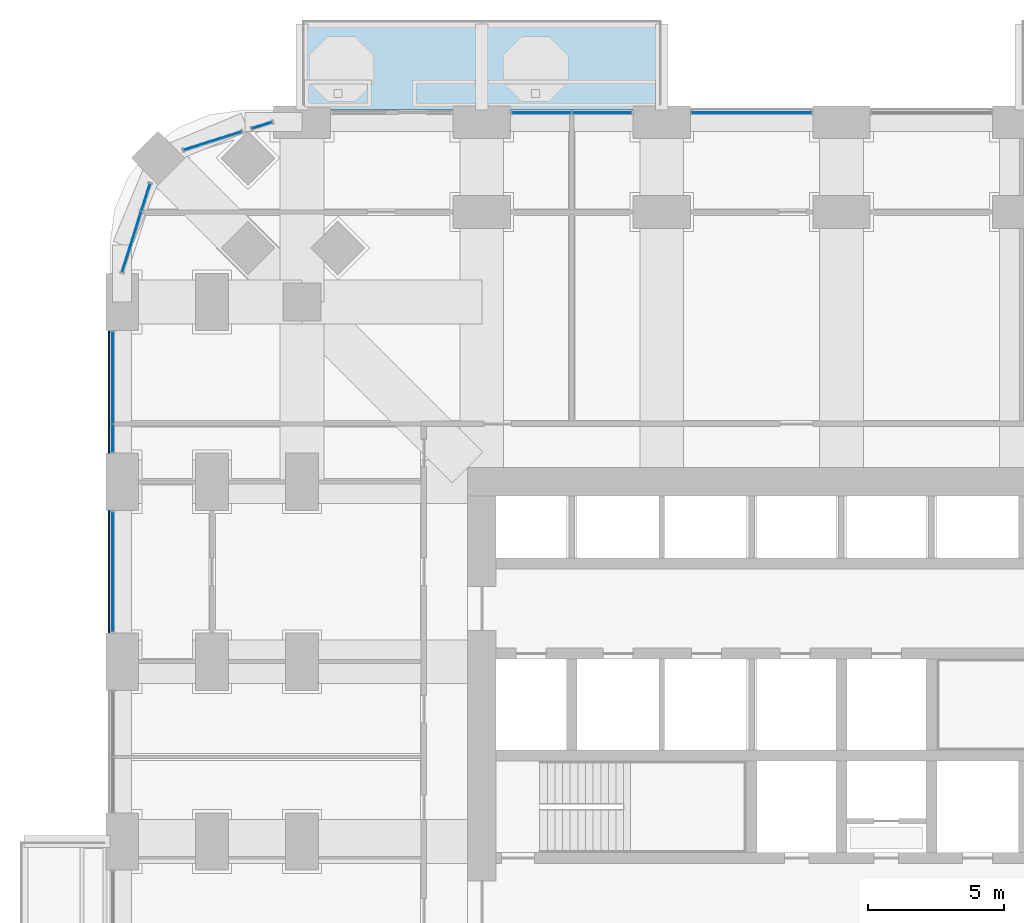
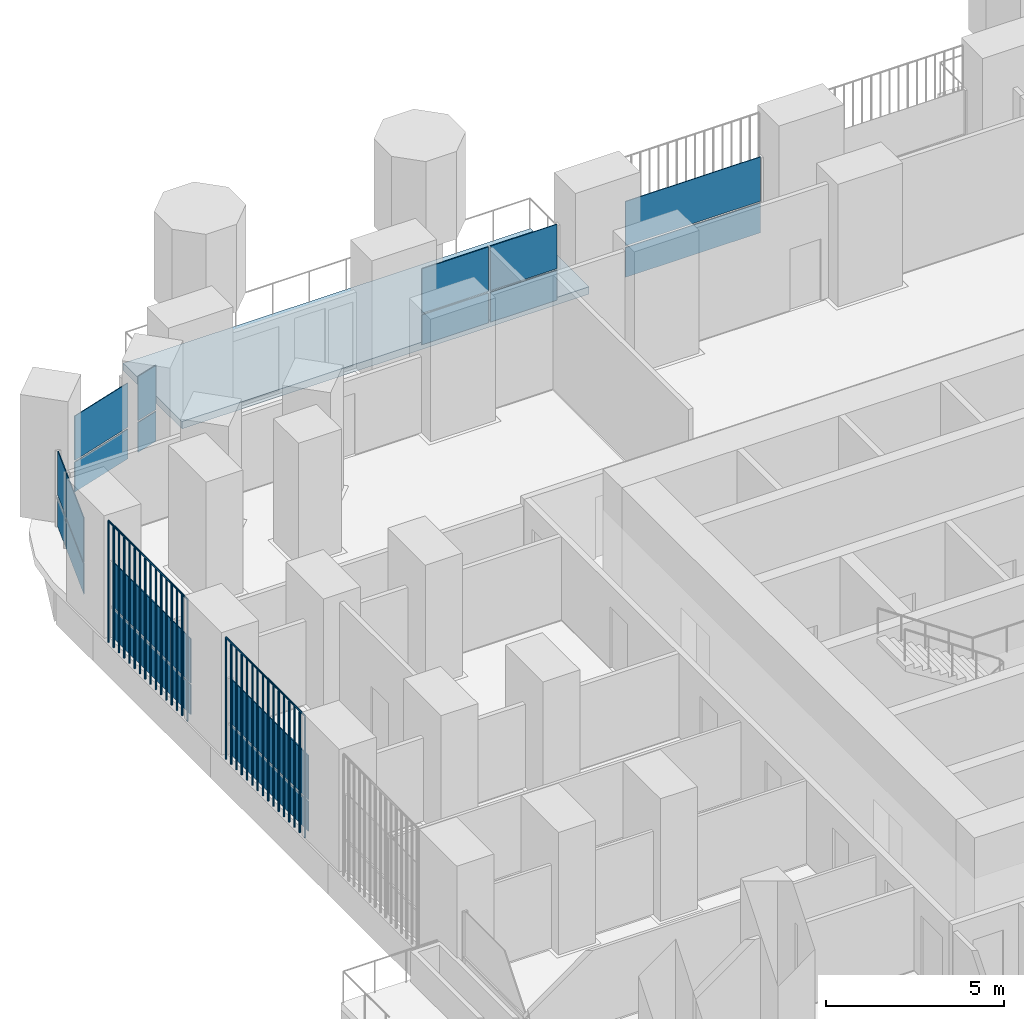
# One storey, part 15 of 27: 22 plates, 1 slab, 7 elements without a shape of their own.
"""IFC4 building model written with IfcOpenShell, lengths in metres."""

from ifc_helpers import new_model, si_unit, direction, frame, origin, origin_2d, place, context, subcontext, project, spatial, polyline, rectangle, outline, extrude, material, layer, layer_set, type_object, element, aggregate, save


model = new_model("IFC4")

# Units and contexts
model_context = context("Model", 3, precision=1e-05, world=origin(), true_north=direction((0.0, 1.0)))
body_context = subcontext(model_context, "Body", "Model", "MODEL_VIEW")
ifc_project = project(units=[si_unit("LENGTHUNIT", "METRE"), si_unit("AREAUNIT", "SQUARE_METRE"), si_unit("VOLUMEUNIT", "CUBIC_METRE"), si_unit("PLANEANGLEUNIT", "RADIAN"), si_unit("MASSUNIT", "GRAM", prefix="KILO")], contexts=[model_context])

# Site, building, storey
site_placement = place(None, origin())
site = spatial("IfcSite", under=ifc_project, at=site_placement, CompositionType="ELEMENT")
building_placement = place(site_placement, origin())
building = spatial("IfcBuilding", under=site, at=building_placement, Name="Cobogo Forest Laboratory Tower", CompositionType="ELEMENT")
storey_placement = place(building_placement, frame((0.0, 0.0, 63.300048828125)))
storey = spatial("IfcBuildingStorey", under=building, at=storey_placement, Name="L14", CompositionType="ELEMENT", Elevation=63.300048828125)

# Slab
ifc_material_1 = material(Name="Concrete HA-40 (C40/50)", Category="concrete")
ifc_layer_1 = layer(ifc_material_1, 0.25)
ifc_layer_set_1 = layer_set([ifc_layer_1], Name="Balcony slab 250")
slab_type = type_object("IfcSlabType", Name="Balcony slab 250", PredefinedType="FLOOR", material=ifc_layer_set_1)
slab_placement = place(storey_placement, frame((0.0, 0.0, -0.25)))
element("IfcSlab", 1, at=slab_placement, inside=storey, type_object=slab_type, Name="Balcony BAL-N1 L14", PredefinedType="FLOOR", context=body_context, shape_type="SweptSolid", body=[
    extrude(outline(polyline([(6.60009765625, 46.64990234375), (19.800048828125, 46.64990234375), (19.800048828125, 49.949951171875), (6.60009765625, 49.949951171875), (6.60009765625, 46.64990234375)])), origin(), (0.0, 0.0, 1.0), 0.25),
])

# Curtain wall, plates
ifc_material_2 = material(Name="Aluminium curtain wall", Category="aluminium")
curtain_wall_type = type_object("IfcCurtainWallType", Name="CW-1 unitised curtain wall, clear glazing, laboratory floors zones A and B", PredefinedType="USERDEFINED", material=ifc_material_2)
curtain_wall_1_placement = place(storey_placement, origin())
curtain_wall_1 = element("IfcCurtainWall", 2, at=curtain_wall_1_placement, inside=storey, type_object=curtain_wall_type, Name="Curtain wall 21 L14", ObjectType="UNITISED CURTAIN WALL", PredefinedType="USERDEFINED")
ifc_material_3 = material(Name="Clear insulated glass", Category="glass")
ifc_layer_2 = layer(ifc_material_3, 0.028076171875)
ifc_layer_set_2 = layer_set([ifc_layer_2], Name="GP-1 clear insulated glass unit 28")
plate_type_1 = type_object("IfcPlateType", Name="GP-1 clear insulated glass unit 28", PredefinedType="CURTAIN_PANEL", material=ifc_layer_set_2)
plate_1_placement = place(storey_placement, frame((23.10009765625, 46.550048828125, 0.0), z_axis=(0.0, 0.0, 1.0), x_axis=(-1.0, 0.0, 0.0)))
plate_1 = element("IfcPlate", 3, at=plate_1_placement, type_object=plate_type_1, Name="CW-1 panel 1.1", PredefinedType="CURTAIN_PANEL", context=body_context, shape_type="SweptSolid", body=[
    extrude(rectangle(XDim=4.3798828125, YDim=0.028076171875, at=origin_2d()), origin(), (0.0, 0.0, 1.0), 1.02001953125),
])
plate_2_placement = place(storey_placement, frame((23.10009765625, 46.550048828125, 1.079833984375), z_axis=(0.0, 0.0, 1.0), x_axis=(-1.0, 0.0, 0.0)))
plate_2 = element("IfcPlate", 4, at=plate_2_placement, type_object=plate_type_1, Name="CW-1 panel 1.2", PredefinedType="CURTAIN_PANEL", context=body_context, shape_type="SweptSolid", body=[
    extrude(rectangle(XDim=4.3798828125, YDim=0.028076171875, at=origin_2d()), origin(), (0.0, 0.0, 1.0), 1.52001953125),
])
aggregate(curtain_wall_1, [plate_1, plate_2])

curtain_wall_2_placement = place(storey_placement, origin())
curtain_wall_2 = element("IfcCurtainWall", 5, at=curtain_wall_2_placement, inside=storey, type_object=curtain_wall_type, Name="Curtain wall 22 L14", ObjectType="UNITISED CURTAIN WALL", PredefinedType="USERDEFINED")
plate_3_placement = place(storey_placement, frame((17.610107421875, 46.550048828125, 0.0), z_axis=(0.0, 0.0, 1.0), x_axis=(-1.0, 0.0, 0.0)))
plate_3 = element("IfcPlate", 6, at=plate_3_placement, type_object=plate_type_1, Name="CW-1 panel 1.1", PredefinedType="CURTAIN_PANEL", context=body_context, shape_type="SweptSolid", body=[
    extrude(rectangle(XDim=2.159912109375, YDim=0.028076171875, at=origin_2d()), origin(), (0.0, 0.0, 1.0), 1.02001953125),
])
plate_4_placement = place(storey_placement, frame((17.610107421875, 46.550048828125, 1.079833984375), z_axis=(0.0, 0.0, 1.0), x_axis=(-1.0, 0.0, 0.0)))
plate_4 = element("IfcPlate", 7, at=plate_4_placement, type_object=plate_type_1, Name="CW-1 panel 1.2", PredefinedType="CURTAIN_PANEL", context=body_context, shape_type="SweptSolid", body=[
    extrude(rectangle(XDim=2.159912109375, YDim=0.028076171875, at=origin_2d()), origin(), (0.0, 0.0, 1.0), 1.52001953125),
])
plate_5_placement = place(storey_placement, frame((15.389892578125, 46.550048828125, 0.0), z_axis=(0.0, 0.0, 1.0), x_axis=(-1.0, 0.0, 0.0)))
plate_5 = element("IfcPlate", 8, at=plate_5_placement, type_object=plate_type_1, Name="CW-1 panel 2.1", PredefinedType="CURTAIN_PANEL", context=body_context, shape_type="SweptSolid", body=[
    extrude(rectangle(XDim=2.159912109375, YDim=0.028076171875, at=origin_2d()), origin(), (0.0, 0.0, 1.0), 1.02001953125),
])
plate_6_placement = place(storey_placement, frame((15.389892578125, 46.550048828125, 1.079833984375), z_axis=(0.0, 0.0, 1.0), x_axis=(-1.0, 0.0, 0.0)))
plate_6 = element("IfcPlate", 9, at=plate_6_placement, type_object=plate_type_1, Name="CW-1 panel 2.2", PredefinedType="CURTAIN_PANEL", context=body_context, shape_type="SweptSolid", body=[
    extrude(rectangle(XDim=2.159912109375, YDim=0.028076171875, at=origin_2d()), origin(), (0.0, 0.0, 1.0), 1.52001953125),
])
aggregate(curtain_wall_2, [plate_3, plate_4, plate_5, plate_6])

curtain_wall_3_placement = place(storey_placement, origin())
curtain_wall_3 = element("IfcCurtainWall", 10, at=curtain_wall_3_placement, inside=storey, type_object=curtain_wall_type, Name="Curtain wall 24 L14", ObjectType="UNITISED CURTAIN WALL", PredefinedType="USERDEFINED")
plate_7_placement = place(storey_placement, frame((5.134033203125, 46.087158203125, 0.0), z_axis=(0.0, 0.0, 1.0), x_axis=(-0.953581504428, -0.301135043481, 0.0)))
plate_7 = element("IfcPlate", 11, at=plate_7_placement, type_object=plate_type_1, Name="CW-1 panel 1.1", PredefinedType="CURTAIN_PANEL", context=body_context, shape_type="SweptSolid", body=[
    extrude(rectangle(XDim=0.75244140625, YDim=0.028076171875, at=origin_2d()), origin(), (0.0, 0.0, 1.0), 1.02001953125),
])
plate_8_placement = place(storey_placement, frame((5.134033203125, 46.087158203125, 1.079833984375), z_axis=(0.0, 0.0, 1.0), x_axis=(-0.953581504428, -0.301135043481, 0.0)))
plate_8 = element("IfcPlate", 12, at=plate_8_placement, type_object=plate_type_1, Name="CW-1 panel 1.2", PredefinedType="CURTAIN_PANEL", context=body_context, shape_type="SweptSolid", body=[
    extrude(rectangle(XDim=0.75244140625, YDim=0.028076171875, at=origin_2d()), origin(), (0.0, 0.0, 1.0), 1.52001953125),
])
aggregate(curtain_wall_3, [plate_7, plate_8])

curtain_wall_4_placement = place(storey_placement, origin())
curtain_wall_4 = element("IfcCurtainWall", 13, at=curtain_wall_4_placement, inside=storey, type_object=curtain_wall_type, Name="Curtain wall 25 L14", ObjectType="UNITISED CURTAIN WALL", PredefinedType="USERDEFINED")
plate_9_placement = place(storey_placement, frame((3.31787109375, 45.513427734375, 0.0), z_axis=(0.0, 0.0, 1.0), x_axis=(-0.953581409645, -0.301135343623, 0.0)))
plate_9 = element("IfcPlate", 14, at=plate_9_placement, type_object=plate_type_1, Name="CW-1 panel 1.1", PredefinedType="CURTAIN_PANEL", context=body_context, shape_type="SweptSolid", body=[
    extrude(rectangle(XDim=2.203369140625, YDim=0.028076171875, at=origin_2d()), origin(), (0.0, 0.0, 1.0), 1.02001953125),
])
plate_10_placement = place(storey_placement, frame((3.31787109375, 45.513427734375, 1.079833984375), z_axis=(0.0, 0.0, 1.0), x_axis=(-0.953581409645, -0.301135343623, 0.0)))
plate_10 = element("IfcPlate", 15, at=plate_10_placement, type_object=plate_type_1, Name="CW-1 panel 1.2", PredefinedType="CURTAIN_PANEL", context=body_context, shape_type="SweptSolid", body=[
    extrude(rectangle(XDim=2.203369140625, YDim=0.028076171875, at=origin_2d()), origin(), (0.0, 0.0, 1.0), 1.52001953125),
])
aggregate(curtain_wall_4, [plate_9, plate_10])

curtain_wall_5_placement = place(storey_placement, origin())
curtain_wall_5 = element("IfcCurtainWall", 16, at=curtain_wall_5_placement, inside=storey, type_object=curtain_wall_type, Name="Curtain wall 26 L14", ObjectType="UNITISED CURTAIN WALL", PredefinedType="USERDEFINED")
plate_11_placement = place(storey_placement, frame((0.863525390625, 43.442626953125, 0.0), z_axis=(0.0, 0.0, 1.0), x_axis=(-0.30113535792, -0.95358140513, 0.0)))
plate_11 = element("IfcPlate", 17, at=plate_11_placement, type_object=plate_type_1, Name="CW-1 panel 1.1", PredefinedType="CURTAIN_PANEL", context=body_context, shape_type="SweptSolid", body=[
    extrude(rectangle(XDim=1.027587890625, YDim=0.028076171875, at=origin_2d()), origin(), (0.0, 0.0, 1.0), 1.02001953125),
])
plate_12_placement = place(storey_placement, frame((0.863525390625, 43.442626953125, 1.079833984375), z_axis=(0.0, 0.0, 1.0), x_axis=(-0.30113535792, -0.95358140513, 0.0)))
plate_12 = element("IfcPlate", 18, at=plate_12_placement, type_object=plate_type_1, Name="CW-1 panel 1.2", PredefinedType="CURTAIN_PANEL", context=body_context, shape_type="SweptSolid", body=[
    extrude(rectangle(XDim=1.027587890625, YDim=0.028076171875, at=origin_2d()), origin(), (0.0, 0.0, 1.0), 1.52001953125),
])
plate_13_placement = place(storey_placement, frame((0.34521484375, 41.80126953125, 0.0), z_axis=(0.0, 0.0, 1.0), x_axis=(-0.30113535792, -0.95358140513, 0.0)))
plate_13 = element("IfcPlate", 19, at=plate_13_placement, type_object=plate_type_1, Name="CW-1 panel 2.1", PredefinedType="CURTAIN_PANEL", context=body_context, shape_type="SweptSolid", body=[
    extrude(rectangle(XDim=2.294677734375, YDim=0.028076171875, at=origin_2d()), origin(), (0.0, 0.0, 1.0), 1.02001953125),
])
plate_14_placement = place(storey_placement, frame((0.34521484375, 41.80126953125, 1.079833984375), z_axis=(0.0, 0.0, 1.0), x_axis=(-0.30113535792, -0.95358140513, 0.0)))
plate_14 = element("IfcPlate", 20, at=plate_14_placement, type_object=plate_type_1, Name="CW-1 panel 2.2", PredefinedType="CURTAIN_PANEL", context=body_context, shape_type="SweptSolid", body=[
    extrude(rectangle(XDim=2.294677734375, YDim=0.028076171875, at=origin_2d()), origin(), (0.0, 0.0, 1.0), 1.52001953125),
])
aggregate(curtain_wall_5, [plate_11, plate_12, plate_13, plate_14])

curtain_wall_6_placement = place(storey_placement, origin())
curtain_wall_6 = element("IfcCurtainWall", 21, at=curtain_wall_6_placement, inside=storey, type_object=curtain_wall_type, Name="Curtain wall 27 L14", ObjectType="UNITISED CURTAIN WALL", PredefinedType="USERDEFINED")
plate_15_placement = place(storey_placement, frame((-0.35009765625, 36.822509765625, 0.0), z_axis=(0.0, 0.0, 1.0), x_axis=(0.0, -1.0, 0.0)))
plate_15 = element("IfcPlate", 22, at=plate_15_placement, type_object=plate_type_1, Name="CW-1 panel 1.1", PredefinedType="CURTAIN_PANEL", context=body_context, shape_type="SweptSolid", body=[
    extrude(rectangle(XDim=3.3349609375, YDim=0.028076171875, at=origin_2d()), origin(), (0.0, 0.0, 1.0), 1.02001953125),
])
plate_16_placement = place(storey_placement, frame((-0.35009765625, 36.822509765625, 1.079833984375), z_axis=(0.0, 0.0, 1.0), x_axis=(0.0, -1.0, 0.0)))
plate_16 = element("IfcPlate", 23, at=plate_16_placement, type_object=plate_type_1, Name="CW-1 panel 1.2", PredefinedType="CURTAIN_PANEL", context=body_context, shape_type="SweptSolid", body=[
    extrude(rectangle(XDim=3.3349609375, YDim=0.028076171875, at=origin_2d()), origin(), (0.0, 0.0, 1.0), 1.52001953125),
])
plate_17_placement = place(storey_placement, frame((-0.35009765625, 34.6025390625, 0.0), z_axis=(0.0, 0.0, 1.0), x_axis=(0.0, -1.0, 0.0)))
plate_17 = element("IfcPlate", 24, at=plate_17_placement, type_object=plate_type_1, Name="CW-1 panel 2.1", PredefinedType="CURTAIN_PANEL", context=body_context, shape_type="SweptSolid", body=[
    extrude(rectangle(XDim=0.985107421875, YDim=0.028076171875, at=origin_2d()), origin(), (0.0, 0.0, 1.0), 1.02001953125),
])
plate_18_placement = place(storey_placement, frame((-0.35009765625, 34.6025390625, 1.079833984375), z_axis=(0.0, 0.0, 1.0), x_axis=(0.0, -1.0, 0.0)))
plate_18 = element("IfcPlate", 25, at=plate_18_placement, type_object=plate_type_1, Name="CW-1 panel 2.2", PredefinedType="CURTAIN_PANEL", context=body_context, shape_type="SweptSolid", body=[
    extrude(rectangle(XDim=0.985107421875, YDim=0.028076171875, at=origin_2d()), origin(), (0.0, 0.0, 1.0), 1.52001953125),
])
aggregate(curtain_wall_6, [plate_15, plate_16, plate_17, plate_18])

curtain_wall_7_placement = place(storey_placement, origin())
curtain_wall_7 = element("IfcCurtainWall", 26, at=curtain_wall_7_placement, inside=storey, type_object=curtain_wall_type, Name="Curtain wall 28 L14", ObjectType="UNITISED CURTAIN WALL", PredefinedType="USERDEFINED")
plate_19_placement = place(storey_placement, frame((-0.35009765625, 29.699951171875, 0.0), z_axis=(0.0, 0.0, 1.0), x_axis=(0.0, -1.0, 0.0)))
plate_19 = element("IfcPlate", 27, at=plate_19_placement, type_object=plate_type_1, Name="CW-1 panel 1.1", PredefinedType="CURTAIN_PANEL", context=body_context, shape_type="SweptSolid", body=[
    extrude(rectangle(XDim=4.3798828125, YDim=0.028076171875, at=origin_2d()), origin(), (0.0, 0.0, 1.0), 1.02001953125),
])
plate_20_placement = place(storey_placement, frame((-0.35009765625, 29.699951171875, 1.079833984375), z_axis=(0.0, 0.0, 1.0), x_axis=(0.0, -1.0, 0.0)))
plate_20 = element("IfcPlate", 28, at=plate_20_placement, type_object=plate_type_1, Name="CW-1 panel 1.2", PredefinedType="CURTAIN_PANEL", context=body_context, shape_type="SweptSolid", body=[
    extrude(rectangle(XDim=4.3798828125, YDim=0.028076171875, at=origin_2d()), origin(), (0.0, 0.0, 1.0), 1.52001953125),
])
aggregate(curtain_wall_7, [plate_19, plate_20])

# Plates
ifc_material_4 = material(Name="Terracotta", Category="masonry")
plate_type_2 = type_object("IfcPlateType", Name="TB1 terracotta baguette screen", PredefinedType="USERDEFINED", material=ifc_material_4)
plate_21_placement = place(storey_placement, frame((-0.477783203125, 27.481201171875, -0.150146484375)))
element("IfcPlate", 29, at=plate_21_placement, inside=storey, type_object=plate_type_2, Name="Baguette screen W4 L14", ObjectType="BAGUETTE SCREEN", PredefinedType="USERDEFINED", context=body_context, shape_type="SweptSolid", body=[
    extrude(outline(polyline([(0.02880859375, 0.011962890625), (0.011962890625, 0.02880859375), (-0.011962890625, 0.02880859375), (-0.02880859375, 0.011962890625), (-0.02880859375, -0.011962890625), (-0.011962890625, -0.02880859375), (0.011962890625, -0.02880859375), (0.02880859375, -0.011962890625), (0.02880859375, 0.011962890625)])), frame((0.0, 0.0, 4.168701171875), z_axis=(0.0, 1.0, 0.0), x_axis=(-1.0, 0.0, 0.0)), (0.0, 0.0, 1.0), 4.4375),
    extrude(outline(polyline([(0.02880859375, 0.011962890625), (0.011962890625, 0.02880859375), (-0.011962890625, 0.02880859375), (-0.02880859375, 0.011962890625), (-0.02880859375, -0.011962890625), (-0.011962890625, -0.02880859375), (0.011962890625, -0.02880859375), (0.02880859375, -0.011962890625), (0.02880859375, 0.011962890625)])), origin(), (0.0, 0.0, 1.0), 4.137451171875),
    extrude(outline(polyline([(0.02880859375, 0.011962890625), (0.011962890625, 0.02880859375), (-0.011962890625, 0.02880859375), (-0.02880859375, 0.011962890625), (-0.02880859375, -0.011962890625), (-0.011962890625, -0.02880859375), (0.011962890625, -0.02880859375), (0.02880859375, -0.011962890625), (0.02880859375, 0.011962890625)])), frame((0.0, 0.2958984375, 0.0)), (0.0, 0.0, 1.0), 4.137451171875),
    extrude(outline(polyline([(0.02880859375, 0.011962890625), (0.011962890625, 0.02880859375), (-0.011962890625, 0.02880859375), (-0.02880859375, 0.011962890625), (-0.02880859375, -0.011962890625), (-0.011962890625, -0.02880859375), (0.011962890625, -0.02880859375), (0.02880859375, -0.011962890625), (0.02880859375, 0.011962890625)])), frame((0.0, 0.591552734375, 0.0)), (0.0, 0.0, 1.0), 4.137451171875),
    extrude(outline(polyline([(0.02880859375, 0.011962890625), (0.011962890625, 0.02880859375), (-0.011962890625, 0.02880859375), (-0.02880859375, 0.011962890625), (-0.02880859375, -0.011962890625), (-0.011962890625, -0.02880859375), (0.011962890625, -0.02880859375), (0.02880859375, -0.011962890625), (0.02880859375, 0.011962890625)])), frame((0.0, 0.887451171875, 0.0)), (0.0, 0.0, 1.0), 4.137451171875),
    extrude(outline(polyline([(0.02880859375, 0.011962890625), (0.011962890625, 0.02880859375), (-0.011962890625, 0.02880859375), (-0.02880859375, 0.011962890625), (-0.02880859375, -0.011962890625), (-0.011962890625, -0.02880859375), (0.011962890625, -0.02880859375), (0.02880859375, -0.011962890625), (0.02880859375, 0.011962890625)])), frame((0.0, 1.183349609375, 0.0)), (0.0, 0.0, 1.0), 4.137451171875),
    extrude(outline(polyline([(0.02880859375, 0.011962890625), (0.011962890625, 0.02880859375), (-0.011962890625, 0.02880859375), (-0.02880859375, 0.011962890625), (-0.02880859375, -0.011962890625), (-0.011962890625, -0.02880859375), (0.011962890625, -0.02880859375), (0.02880859375, -0.011962890625), (0.02880859375, 0.011962890625)])), frame((0.0, 1.479248046875, 0.0)), (0.0, 0.0, 1.0), 4.137451171875),
    extrude(outline(polyline([(0.02880859375, 0.011962890625), (0.011962890625, 0.02880859375), (-0.011962890625, 0.02880859375), (-0.02880859375, 0.011962890625), (-0.02880859375, -0.011962890625), (-0.011962890625, -0.02880859375), (0.011962890625, -0.02880859375), (0.02880859375, -0.011962890625), (0.02880859375, 0.011962890625)])), frame((0.0, 1.77490234375, 0.0)), (0.0, 0.0, 1.0), 4.137451171875),
    extrude(outline(polyline([(0.02880859375, 0.011962890625), (0.011962890625, 0.02880859375), (-0.011962890625, 0.02880859375), (-0.02880859375, 0.011962890625), (-0.02880859375, -0.011962890625), (-0.011962890625, -0.02880859375), (0.011962890625, -0.02880859375), (0.02880859375, -0.011962890625), (0.02880859375, 0.011962890625)])), frame((0.0, 2.07080078125, 0.0)), (0.0, 0.0, 1.0), 4.137451171875),
    extrude(outline(polyline([(0.02880859375, 0.011962890625), (0.011962890625, 0.02880859375), (-0.011962890625, 0.02880859375), (-0.02880859375, 0.011962890625), (-0.02880859375, -0.011962890625), (-0.011962890625, -0.02880859375), (0.011962890625, -0.02880859375), (0.02880859375, -0.011962890625), (0.02880859375, 0.011962890625)])), frame((0.0, 2.36669921875, 0.0)), (0.0, 0.0, 1.0), 4.137451171875),
    extrude(outline(polyline([(0.02880859375, 0.011962890625), (0.011962890625, 0.02880859375), (-0.011962890625, 0.02880859375), (-0.02880859375, 0.011962890625), (-0.02880859375, -0.011962890625), (-0.011962890625, -0.02880859375), (0.011962890625, -0.02880859375), (0.02880859375, -0.011962890625), (0.02880859375, 0.011962890625)])), frame((0.0, 2.66259765625, 0.0)), (0.0, 0.0, 1.0), 4.137451171875),
    extrude(outline(polyline([(0.02880859375, 0.011962890625), (0.011962890625, 0.02880859375), (-0.011962890625, 0.02880859375), (-0.02880859375, 0.011962890625), (-0.02880859375, -0.011962890625), (-0.011962890625, -0.02880859375), (0.011962890625, -0.02880859375), (0.02880859375, -0.011962890625), (0.02880859375, 0.011962890625)])), frame((0.0, 2.958251953125, 0.0)), (0.0, 0.0, 1.0), 4.137451171875),
    extrude(outline(polyline([(0.02880859375, 0.011962890625), (0.011962890625, 0.02880859375), (-0.011962890625, 0.02880859375), (-0.02880859375, 0.011962890625), (-0.02880859375, -0.011962890625), (-0.011962890625, -0.02880859375), (0.011962890625, -0.02880859375), (0.02880859375, -0.011962890625), (0.02880859375, 0.011962890625)])), frame((0.0, 3.254150390625, 0.0)), (0.0, 0.0, 1.0), 4.137451171875),
    extrude(outline(polyline([(0.02880859375, 0.011962890625), (0.011962890625, 0.02880859375), (-0.011962890625, 0.02880859375), (-0.02880859375, 0.011962890625), (-0.02880859375, -0.011962890625), (-0.011962890625, -0.02880859375), (0.011962890625, -0.02880859375), (0.02880859375, -0.011962890625), (0.02880859375, 0.011962890625)])), frame((0.0, 3.550048828125, 0.0)), (0.0, 0.0, 1.0), 4.137451171875),
    extrude(outline(polyline([(0.02880859375, 0.011962890625), (0.011962890625, 0.02880859375), (-0.011962890625, 0.02880859375), (-0.02880859375, 0.011962890625), (-0.02880859375, -0.011962890625), (-0.011962890625, -0.02880859375), (0.011962890625, -0.02880859375), (0.02880859375, -0.011962890625), (0.02880859375, 0.011962890625)])), frame((0.0, 3.845947265625, 0.0)), (0.0, 0.0, 1.0), 4.137451171875),
    extrude(outline(polyline([(0.02880859375, 0.011962890625), (0.011962890625, 0.02880859375), (-0.011962890625, 0.02880859375), (-0.02880859375, 0.011962890625), (-0.02880859375, -0.011962890625), (-0.011962890625, -0.02880859375), (0.011962890625, -0.02880859375), (0.02880859375, -0.011962890625), (0.02880859375, 0.011962890625)])), frame((0.0, 4.1416015625, 0.0)), (0.0, 0.0, 1.0), 4.137451171875),
    extrude(outline(polyline([(0.02880859375, 0.011962890625), (0.011962890625, 0.02880859375), (-0.011962890625, 0.02880859375), (-0.02880859375, 0.011962890625), (-0.02880859375, -0.011962890625), (-0.011962890625, -0.02880859375), (0.011962890625, -0.02880859375), (0.02880859375, -0.011962890625), (0.02880859375, 0.011962890625)])), frame((0.0, 4.4375, 0.0)), (0.0, 0.0, 1.0), 4.137451171875),
])
plate_22_placement = place(storey_placement, frame((-0.477783203125, 34.081298828125, -0.150146484375)))
element("IfcPlate", 30, at=plate_22_placement, inside=storey, type_object=plate_type_2, Name="Baguette screen W5 L14", ObjectType="BAGUETTE SCREEN", PredefinedType="USERDEFINED", context=body_context, shape_type="SweptSolid", body=[
    extrude(outline(polyline([(0.02880859375, 0.011962890625), (0.011962890625, 0.02880859375), (-0.011962890625, 0.02880859375), (-0.02880859375, 0.011962890625), (-0.02880859375, -0.011962890625), (-0.011962890625, -0.02880859375), (0.011962890625, -0.02880859375), (0.02880859375, -0.011962890625), (0.02880859375, 0.011962890625)])), frame((0.0, 0.0, 4.168701171875), z_axis=(0.0, 1.0, 0.0), x_axis=(-1.0, 0.0, 0.0)), (0.0, 0.0, 1.0), 4.4375),
    extrude(outline(polyline([(0.02880859375, 0.011962890625), (0.011962890625, 0.02880859375), (-0.011962890625, 0.02880859375), (-0.02880859375, 0.011962890625), (-0.02880859375, -0.011962890625), (-0.011962890625, -0.02880859375), (0.011962890625, -0.02880859375), (0.02880859375, -0.011962890625), (0.02880859375, 0.011962890625)])), origin(), (0.0, 0.0, 1.0), 4.137451171875),
    extrude(outline(polyline([(0.02880859375, 0.011962890625), (0.011962890625, 0.02880859375), (-0.011962890625, 0.02880859375), (-0.02880859375, 0.011962890625), (-0.02880859375, -0.011962890625), (-0.011962890625, -0.02880859375), (0.011962890625, -0.02880859375), (0.02880859375, -0.011962890625), (0.02880859375, 0.011962890625)])), frame((0.0, 0.2958984375, 0.0)), (0.0, 0.0, 1.0), 4.137451171875),
    extrude(outline(polyline([(0.02880859375, 0.011962890625), (0.011962890625, 0.02880859375), (-0.011962890625, 0.02880859375), (-0.02880859375, 0.011962890625), (-0.02880859375, -0.011962890625), (-0.011962890625, -0.02880859375), (0.011962890625, -0.02880859375), (0.02880859375, -0.011962890625), (0.02880859375, 0.011962890625)])), frame((0.0, 0.591552734375, 0.0)), (0.0, 0.0, 1.0), 4.137451171875),
    extrude(outline(polyline([(0.02880859375, 0.011962890625), (0.011962890625, 0.02880859375), (-0.011962890625, 0.02880859375), (-0.02880859375, 0.011962890625), (-0.02880859375, -0.011962890625), (-0.011962890625, -0.02880859375), (0.011962890625, -0.02880859375), (0.02880859375, -0.011962890625), (0.02880859375, 0.011962890625)])), frame((0.0, 0.887451171875, 0.0)), (0.0, 0.0, 1.0), 4.137451171875),
    extrude(outline(polyline([(0.02880859375, 0.011962890625), (0.011962890625, 0.02880859375), (-0.011962890625, 0.02880859375), (-0.02880859375, 0.011962890625), (-0.02880859375, -0.011962890625), (-0.011962890625, -0.02880859375), (0.011962890625, -0.02880859375), (0.02880859375, -0.011962890625), (0.02880859375, 0.011962890625)])), frame((0.0, 1.183349609375, 0.0)), (0.0, 0.0, 1.0), 4.137451171875),
    extrude(outline(polyline([(0.02880859375, 0.011962890625), (0.011962890625, 0.02880859375), (-0.011962890625, 0.02880859375), (-0.02880859375, 0.011962890625), (-0.02880859375, -0.011962890625), (-0.011962890625, -0.02880859375), (0.011962890625, -0.02880859375), (0.02880859375, -0.011962890625), (0.02880859375, 0.011962890625)])), frame((0.0, 1.479248046875, 0.0)), (0.0, 0.0, 1.0), 4.137451171875),
    extrude(outline(polyline([(0.02880859375, 0.011962890625), (0.011962890625, 0.02880859375), (-0.011962890625, 0.02880859375), (-0.02880859375, 0.011962890625), (-0.02880859375, -0.011962890625), (-0.011962890625, -0.02880859375), (0.011962890625, -0.02880859375), (0.02880859375, -0.011962890625), (0.02880859375, 0.011962890625)])), frame((0.0, 1.77490234375, 0.0)), (0.0, 0.0, 1.0), 4.137451171875),
    extrude(outline(polyline([(0.02880859375, 0.011962890625), (0.011962890625, 0.02880859375), (-0.011962890625, 0.02880859375), (-0.02880859375, 0.011962890625), (-0.02880859375, -0.011962890625), (-0.011962890625, -0.02880859375), (0.011962890625, -0.02880859375), (0.02880859375, -0.011962890625), (0.02880859375, 0.011962890625)])), frame((0.0, 2.07080078125, 0.0)), (0.0, 0.0, 1.0), 4.137451171875),
    extrude(outline(polyline([(0.02880859375, 0.011962890625), (0.011962890625, 0.02880859375), (-0.011962890625, 0.02880859375), (-0.02880859375, 0.011962890625), (-0.02880859375, -0.011962890625), (-0.011962890625, -0.02880859375), (0.011962890625, -0.02880859375), (0.02880859375, -0.011962890625), (0.02880859375, 0.011962890625)])), frame((0.0, 2.36669921875, 0.0)), (0.0, 0.0, 1.0), 4.137451171875),
    extrude(outline(polyline([(0.02880859375, 0.011962890625), (0.011962890625, 0.02880859375), (-0.011962890625, 0.02880859375), (-0.02880859375, 0.011962890625), (-0.02880859375, -0.011962890625), (-0.011962890625, -0.02880859375), (0.011962890625, -0.02880859375), (0.02880859375, -0.011962890625), (0.02880859375, 0.011962890625)])), frame((0.0, 2.66259765625, 0.0)), (0.0, 0.0, 1.0), 4.137451171875),
    extrude(outline(polyline([(0.02880859375, 0.011962890625), (0.011962890625, 0.02880859375), (-0.011962890625, 0.02880859375), (-0.02880859375, 0.011962890625), (-0.02880859375, -0.011962890625), (-0.011962890625, -0.02880859375), (0.011962890625, -0.02880859375), (0.02880859375, -0.011962890625), (0.02880859375, 0.011962890625)])), frame((0.0, 2.958251953125, 0.0)), (0.0, 0.0, 1.0), 4.137451171875),
    extrude(outline(polyline([(0.02880859375, 0.011962890625), (0.011962890625, 0.02880859375), (-0.011962890625, 0.02880859375), (-0.02880859375, 0.011962890625), (-0.02880859375, -0.011962890625), (-0.011962890625, -0.02880859375), (0.011962890625, -0.02880859375), (0.02880859375, -0.011962890625), (0.02880859375, 0.011962890625)])), frame((0.0, 3.254150390625, 0.0)), (0.0, 0.0, 1.0), 4.137451171875),
    extrude(outline(polyline([(0.02880859375, 0.011962890625), (0.011962890625, 0.02880859375), (-0.011962890625, 0.02880859375), (-0.02880859375, 0.011962890625), (-0.02880859375, -0.011962890625), (-0.011962890625, -0.02880859375), (0.011962890625, -0.02880859375), (0.02880859375, -0.011962890625), (0.02880859375, 0.011962890625)])), frame((0.0, 3.550048828125, 0.0)), (0.0, 0.0, 1.0), 4.137451171875),
    extrude(outline(polyline([(0.02880859375, 0.011962890625), (0.011962890625, 0.02880859375), (-0.011962890625, 0.02880859375), (-0.02880859375, 0.011962890625), (-0.02880859375, -0.011962890625), (-0.011962890625, -0.02880859375), (0.011962890625, -0.02880859375), (0.02880859375, -0.011962890625), (0.02880859375, 0.011962890625)])), frame((0.0, 3.845947265625, 0.0)), (0.0, 0.0, 1.0), 4.137451171875),
    extrude(outline(polyline([(0.02880859375, 0.011962890625), (0.011962890625, 0.02880859375), (-0.011962890625, 0.02880859375), (-0.02880859375, 0.011962890625), (-0.02880859375, -0.011962890625), (-0.011962890625, -0.02880859375), (0.011962890625, -0.02880859375), (0.02880859375, -0.011962890625), (0.02880859375, 0.011962890625)])), frame((0.0, 4.1416015625, 0.0)), (0.0, 0.0, 1.0), 4.137451171875),
    extrude(outline(polyline([(0.02880859375, 0.011962890625), (0.011962890625, 0.02880859375), (-0.011962890625, 0.02880859375), (-0.02880859375, 0.011962890625), (-0.02880859375, -0.011962890625), (-0.011962890625, -0.02880859375), (0.011962890625, -0.02880859375), (0.02880859375, -0.011962890625), (0.02880859375, 0.011962890625)])), frame((0.0, 4.4375, 0.0)), (0.0, 0.0, 1.0), 4.137451171875),
])

save(model, "model.ifc")
